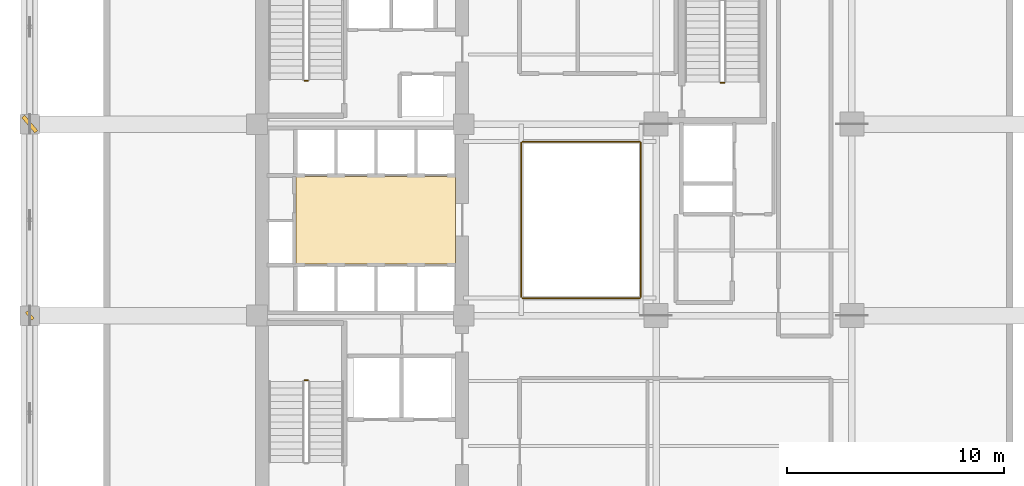
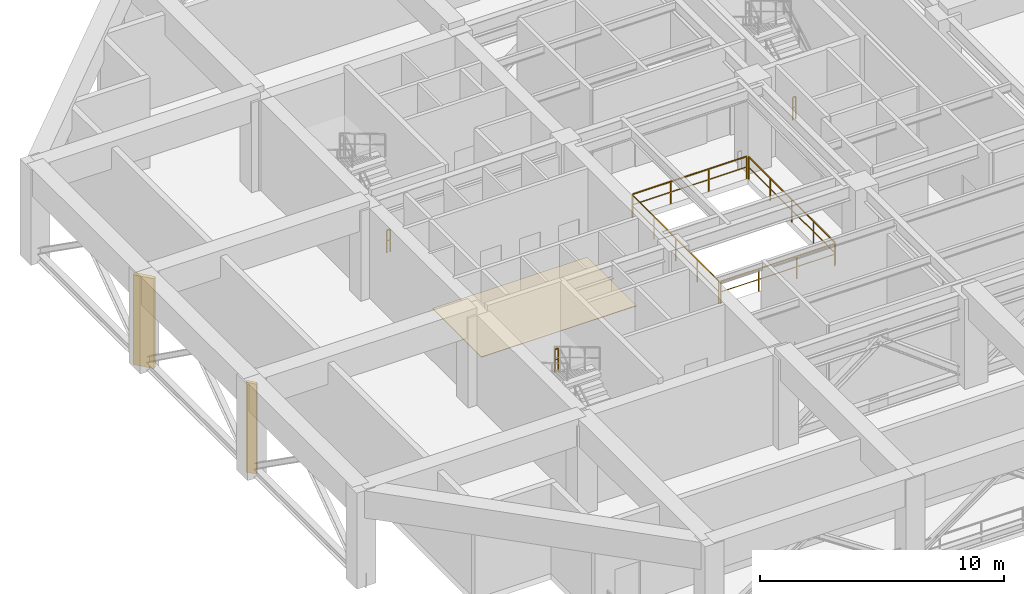
# One storey, part 8 of 10: 7 railings, 2 shading devices, 1 covering.
"""IFC4 building model written with IfcOpenShell, lengths in metres."""

from ifc_helpers import new_model, si_unit, direction, frame, origin, origin_2d, place, context, subcontext, project, spatial, polyline, rectangle, outline, extrude, material, layer, layer_set, type_object, element, save


model = new_model("IFC4")

# Units and contexts
model_context = context("Model", 3, precision=1e-05, world=origin(), true_north=direction((0.0, 1.0)))
body_context = subcontext(model_context, "Body", "Model", "MODEL_VIEW")
ifc_project = project(units=[si_unit("LENGTHUNIT", "METRE"), si_unit("AREAUNIT", "SQUARE_METRE"), si_unit("VOLUMEUNIT", "CUBIC_METRE"), si_unit("PLANEANGLEUNIT", "RADIAN"), si_unit("MASSUNIT", "GRAM", prefix="KILO")], contexts=[model_context])

# Site, building, storey
site_placement = place(None, origin())
site = spatial("IfcSite", under=ifc_project, at=site_placement, CompositionType="ELEMENT")
building_placement = place(site_placement, origin())
building = spatial("IfcBuilding", under=site, at=building_placement, Name="Kundavana Baori Tower", CompositionType="ELEMENT")
storey_placement = place(building_placement, frame((0.0, 0.0, 94.0)))
storey = spatial("IfcBuildingStorey", under=building, at=storey_placement, Name="L22", CompositionType="ELEMENT", Elevation=94.0)

# Covering
ifc_material_1 = material(Name="Honed Kota Stone and Terrazzo Flooring", Category="masonry")
ifc_layer = layer(ifc_material_1, 0.030029296875, Name="COV-INT-FLR")
ifc_layer_set = layer_set([ifc_layer], Name="Honed Kota Stone and Terrazzo Flooring")
covering_type = type_object("IfcCoveringType", Name="COV-INT-FLR", PredefinedType="FLOORING", material=ifc_layer_set)
covering_placement = place(storey_placement, origin())
element("IfcCovering", 1, at=covering_placement, inside=storey, type_object=covering_type, Name="L22 Core Lift Lobby Kota Stone Flooring", PredefinedType="FLOORING", context=body_context, shape_type="SweptSolid", body=[
    extrude(outline(polyline([(17.25, 26.580078125), (24.580078125, 26.580078125), (24.580078125, 30.60009765625), (17.25, 30.60009765625), (17.25, 26.580078125)])), origin(), (0.0, 0.0, 1.0), 0.030029296875),
])

# Railings
ifc_material_2 = material(Name="Architectural Patinated Bronze Metalwork")
railing_type = type_object("IfcRailingType", Name="RL-GRD-1150", PredefinedType="GUARDRAIL", material=ifc_material_2)
for number, where, name in (
    (2, (17.7900390625, 21.219970703125, 2.39990234375), "L22 ST1 stair guard 2"),
    (3, (17.7900390625, 35.0, 0.0), "L22 ST2 stair guard 4"),
):
    element("IfcRailing", number, at=place(storey_placement, frame(where)), inside=storey, type_object=railing_type, Name=name, PredefinedType="GUARDRAIL", context=body_context, shape_type="SweptSolid", body=[
        extrude(rectangle(XDim=0.048095703125, YDim=0.048095703125, at=origin_2d()), frame((0.0, 0.0, 1.1259765625), z_axis=(-1.0, 0.0, 0.0), x_axis=(0.0, -1.0, 0.0)), (0.0, 0.0, 1.0), 0.16015625),
        extrude(rectangle(XDim=0.03125, YDim=0.03125, at=origin_2d()), frame((0.0, 0.0, 0.597900390625), z_axis=(-1.0, 0.0, 0.0), x_axis=(0.0, -1.0, 0.0)), (0.0, 0.0, 1.0), 0.16015625),
        extrude(rectangle(XDim=0.0419921875, YDim=0.0419921875, at=origin_2d()), origin(), (0.0, 0.0, 1.0), 1.101806640625),
        extrude(rectangle(XDim=0.0419921875, YDim=0.0419921875, at=origin_2d()), frame((-0.16015625, 0.0, 0.0)), (0.0, 0.0, 1.0), 1.101806640625),
    ])
railing_1_placement = place(storey_placement, frame((36.929931640625, 34.89990234375, 0.0)))
element("IfcRailing", 4, at=railing_1_placement, inside=storey, type_object=railing_type, Name="L22 ST3 stair guard 4", PredefinedType="GUARDRAIL", context=body_context, shape_type="SweptSolid", body=[
    extrude(rectangle(XDim=0.048095703125, YDim=0.048095703125, at=origin_2d()), frame((0.0, 0.0, 1.1259765625), z_axis=(-1.0, 0.0, 0.0), x_axis=(0.0, -1.0, 0.0)), (0.0, 0.0, 1.0), 0.159912109375),
    extrude(rectangle(XDim=0.03125, YDim=0.03125, at=origin_2d()), frame((0.0, 0.0, 0.597900390625), z_axis=(-1.0, 0.0, 0.0), x_axis=(0.0, -1.0, 0.0)), (0.0, 0.0, 1.0), 0.159912109375),
    extrude(rectangle(XDim=0.0419921875, YDim=0.0419921875, at=origin_2d()), origin(), (0.0, 0.0, 1.0), 1.101806640625),
    extrude(rectangle(XDim=0.0419921875, YDim=0.0419921875, at=origin_2d()), frame((-0.159912109375, 0.0, 0.0)), (0.0, 0.0, 1.0), 1.101806640625),
])
railing_2_placement = place(storey_placement, frame((27.659912109375, 25.0, 0.0)))
element("IfcRailing", 5, at=railing_2_placement, inside=storey, type_object=railing_type, Name="L22 Atrium Void Perimeter Guardrail S", PredefinedType="GUARDRAIL", context=body_context, shape_type="SweptSolid", body=[
    extrude(rectangle(XDim=0.048095703125, YDim=0.048095703125, at=origin_2d()), frame((0.0, 0.0, 1.1259765625), z_axis=(1.0, 0.0, 0.0), x_axis=(0.0, 1.0, 0.0)), (0.0, 0.0, 1.0), 5.380126953125),
    extrude(rectangle(XDim=0.03125, YDim=0.03125, at=origin_2d()), frame((0.0, 0.0, 0.597900390625), z_axis=(1.0, 0.0, 0.0), x_axis=(0.0, 1.0, 0.0)), (0.0, 0.0, 1.0), 5.380126953125),
    extrude(rectangle(XDim=0.0419921875, YDim=0.0419921875, at=origin_2d()), origin(), (0.0, 0.0, 1.0), 1.101806640625),
    extrude(rectangle(XDim=0.0419921875, YDim=0.0419921875, at=origin_2d()), frame((1.79345703125, 0.0, 0.0)), (0.0, 0.0, 1.0), 1.101806640625),
    extrude(rectangle(XDim=0.0419921875, YDim=0.0419921875, at=origin_2d()), frame((3.586669921875, 0.0, 0.0)), (0.0, 0.0, 1.0), 1.101806640625),
    extrude(rectangle(XDim=0.0419921875, YDim=0.0419921875, at=origin_2d()), frame((5.380126953125, 0.0, 0.0)), (0.0, 0.0, 1.0), 1.101806640625),
])
railing_3_placement = place(storey_placement, frame((33.10009765625, 25.06005859375, 0.0)))
element("IfcRailing", 6, at=railing_3_placement, inside=storey, type_object=railing_type, Name="L22 Atrium Void Perimeter Guardrail E", PredefinedType="GUARDRAIL", context=body_context, shape_type="SweptSolid", body=[
    extrude(rectangle(XDim=0.048095703125, YDim=0.048095703125, at=origin_2d()), frame((0.0, 0.0, 1.1259765625), z_axis=(0.0, 1.0, 0.0), x_axis=(-1.0, 0.0, 0.0)), (0.0, 0.0, 1.0), 7.079833984375),
    extrude(rectangle(XDim=0.03125, YDim=0.03125, at=origin_2d()), frame((0.0, 0.0, 0.597900390625), z_axis=(0.0, 1.0, 0.0), x_axis=(-1.0, 0.0, 0.0)), (0.0, 0.0, 1.0), 7.079833984375),
    extrude(rectangle(XDim=0.0419921875, YDim=0.0419921875, at=origin_2d()), origin(), (0.0, 0.0, 1.0), 1.101806640625),
    extrude(rectangle(XDim=0.0419921875, YDim=0.0419921875, at=origin_2d()), frame((0.0, 1.77001953125, 0.0)), (0.0, 0.0, 1.0), 1.101806640625),
    extrude(rectangle(XDim=0.0419921875, YDim=0.0419921875, at=origin_2d()), frame((0.0, 3.5400390625, 0.0)), (0.0, 0.0, 1.0), 1.101806640625),
    extrude(rectangle(XDim=0.0419921875, YDim=0.0419921875, at=origin_2d()), frame((0.0, 5.309814453125, 0.0)), (0.0, 0.0, 1.0), 1.101806640625),
    extrude(rectangle(XDim=0.0419921875, YDim=0.0419921875, at=origin_2d()), frame((0.0, 7.079833984375, 0.0)), (0.0, 0.0, 1.0), 1.101806640625),
])
railing_4_placement = place(storey_placement, frame((33.0400390625, 32.199951171875, 0.0)))
element("IfcRailing", 7, at=railing_4_placement, inside=storey, type_object=railing_type, Name="L22 Atrium Void Perimeter Guardrail N", PredefinedType="GUARDRAIL", context=body_context, shape_type="SweptSolid", body=[
    extrude(rectangle(XDim=0.048095703125, YDim=0.048095703125, at=origin_2d()), frame((0.0, 0.0, 1.1259765625), z_axis=(-1.0, 0.0, 0.0), x_axis=(0.0, -1.0, 0.0)), (0.0, 0.0, 1.0), 5.380126953125),
    extrude(rectangle(XDim=0.03125, YDim=0.03125, at=origin_2d()), frame((0.0, 0.0, 0.597900390625), z_axis=(-1.0, 0.0, 0.0), x_axis=(0.0, -1.0, 0.0)), (0.0, 0.0, 1.0), 5.380126953125),
    extrude(rectangle(XDim=0.0419921875, YDim=0.0419921875, at=origin_2d()), origin(), (0.0, 0.0, 1.0), 1.101806640625),
    extrude(rectangle(XDim=0.0419921875, YDim=0.0419921875, at=origin_2d()), frame((-1.79345703125, 0.0, 0.0)), (0.0, 0.0, 1.0), 1.101806640625),
    extrude(rectangle(XDim=0.0419921875, YDim=0.0419921875, at=origin_2d()), frame((-3.586669921875, 0.0, 0.0)), (0.0, 0.0, 1.0), 1.101806640625),
    extrude(rectangle(XDim=0.0419921875, YDim=0.0419921875, at=origin_2d()), frame((-5.380126953125, 0.0, 0.0)), (0.0, 0.0, 1.0), 1.101806640625),
])
railing_5_placement = place(storey_placement, frame((27.60009765625, 32.139892578125, 0.0)))
element("IfcRailing", 8, at=railing_5_placement, inside=storey, type_object=railing_type, Name="L22 Atrium Void Perimeter Guardrail W", PredefinedType="GUARDRAIL", context=body_context, shape_type="SweptSolid", body=[
    extrude(rectangle(XDim=0.048095703125, YDim=0.048095703125, at=origin_2d()), frame((0.0, 0.0, 1.1259765625), z_axis=(0.0, -1.0, 0.0), x_axis=(1.0, 0.0, 0.0)), (0.0, 0.0, 1.0), 7.079833984375),
    extrude(rectangle(XDim=0.03125, YDim=0.03125, at=origin_2d()), frame((0.0, 0.0, 0.597900390625), z_axis=(0.0, -1.0, 0.0), x_axis=(1.0, 0.0, 0.0)), (0.0, 0.0, 1.0), 7.079833984375),
    extrude(rectangle(XDim=0.0419921875, YDim=0.0419921875, at=origin_2d()), origin(), (0.0, 0.0, 1.0), 1.101806640625),
    extrude(rectangle(XDim=0.0419921875, YDim=0.0419921875, at=origin_2d()), frame((0.0, -1.77001953125, 0.0)), (0.0, 0.0, 1.0), 1.101806640625),
    extrude(rectangle(XDim=0.0419921875, YDim=0.0419921875, at=origin_2d()), frame((0.0, -3.5400390625, 0.0)), (0.0, 0.0, 1.0), 1.101806640625),
    extrude(rectangle(XDim=0.0419921875, YDim=0.0419921875, at=origin_2d()), frame((0.0, -5.309814453125, 0.0)), (0.0, 0.0, 1.0), 1.101806640625),
    extrude(rectangle(XDim=0.0419921875, YDim=0.0419921875, at=origin_2d()), frame((0.0, -7.079833984375, 0.0)), (0.0, 0.0, 1.0), 1.101806640625),
])

# Shading devices
ifc_material_3 = material(Name="Red-Buff Dholpur Sandstone Cladding on Concrete C40/50", Category="masonry")
shading_device_type_1 = type_object("IfcShadingDeviceType", Name="SHD-FIN-920", PredefinedType="JALOUSIE", material=ifc_material_3)
shading_device_1_placement = place(storey_placement, frame((5.0, 33.0, 0.0), z_axis=(0.0, 0.0, 1.0), x_axis=(0.760859180527, 0.648917026597, 0.0)))
element("IfcShadingDevice", 9, at=shading_device_1_placement, inside=storey, type_object=shading_device_type_1, Name="L22 Sweeping Dholpur Sandstone Facade Fin 7", PredefinedType="JALOUSIE", context=body_context, shape_type="SweptSolid", body=[
    extrude(rectangle(XDim=0.179931640625, YDim=0.919921875, at=origin_2d()), origin(), (0.0, 0.0, 1.0), 4.5),
])
ifc_material_4 = material(Name="Architectural Patinated Bronze Metalwork")
shading_device_type_2 = type_object("IfcShadingDeviceType", Name="SHD-LOUV-450", PredefinedType="SHUTTER", material=ifc_material_4)
shading_device_2_placement = place(storey_placement, frame((5.0, 24.199951171875, 0.0), z_axis=(0.0, 0.0, 1.0), x_axis=(0.754022143124, 0.656848999146, 0.0)))
element("IfcShadingDevice", 10, at=shading_device_2_placement, inside=storey, type_object=shading_device_type_2, Name="L22 Sweeping Dholpur Sandstone Facade Fin 6", PredefinedType="SHUTTER", context=body_context, shape_type="SweptSolid", body=[
    extrude(rectangle(XDim=0.139892578125, YDim=0.449951171875, at=origin_2d()), origin(), (0.0, 0.0, 1.0), 4.5),
])

save(model, "model.ifc")
